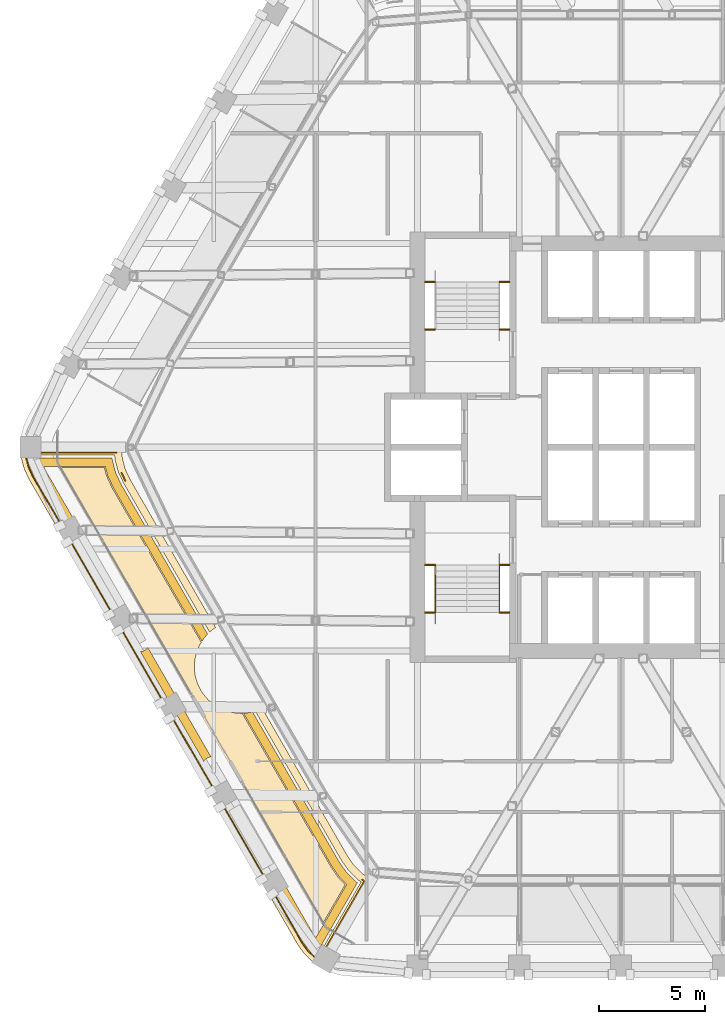
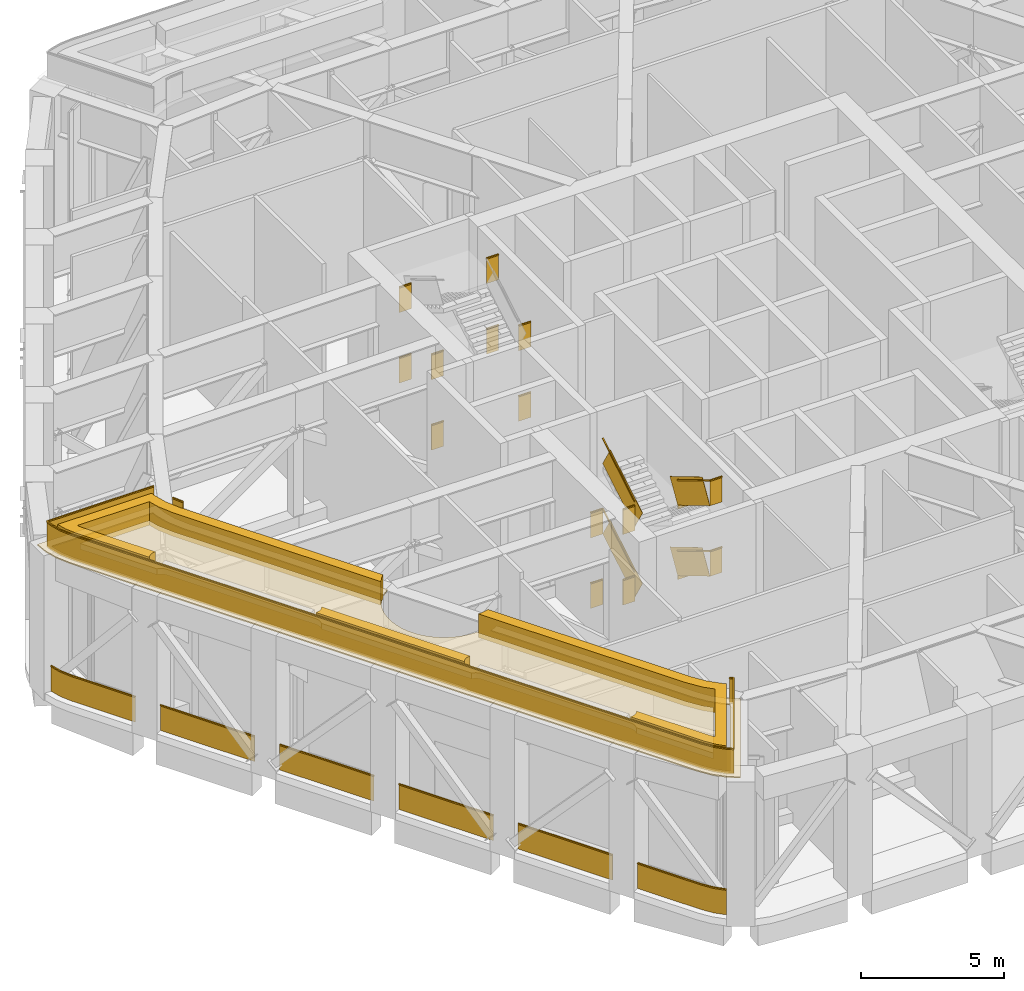
# One storey, part 22 of 24: 5 coverings, 5 railings.
"""IFC4 building model written with IfcOpenShell, lengths in metres."""

from ifc_helpers import new_model, si_unit, direction, frame, frame_2d, origin, origin_2d, place, context, subcontext, project, spatial, polyline, rectangle, outline, extrude, material, layer, layer_set, type_object, element, save


model = new_model("IFC4")

# Units and contexts
model_context = context("Model", 3, precision=1e-05, world=origin(), true_north=direction((0.0, 1.0)))
body_context = subcontext(model_context, "Body", "Model", "MODEL_VIEW")
ifc_project = project(units=[si_unit("LENGTHUNIT", "METRE"), si_unit("AREAUNIT", "SQUARE_METRE"), si_unit("VOLUMEUNIT", "CUBIC_METRE"), si_unit("PLANEANGLEUNIT", "RADIAN"), si_unit("MASSUNIT", "GRAM", prefix="KILO")], contexts=[model_context])

# Site, building, storey
site_placement = place(None, origin())
site = spatial("IfcSite", under=ifc_project, at=site_placement, CompositionType="ELEMENT")
building_placement = place(site_placement, origin())
building = spatial("IfcBuilding", under=site, at=building_placement, Name="Kolab Exchange Tower", CompositionType="ELEMENT")
storey_placement = place(building_placement, frame((0.0, 0.0, 216.800048828125)))
storey = spatial("IfcBuildingStorey", under=building, at=storey_placement, Name="L47", CompositionType="ELEMENT", Elevation=216.800048828125)

# Railings
ifc_material_1 = material(Name="Stainless steel 316", Category="steel")
railing_type_1 = type_object("IfcRailingType", Name="GUARD 1100", PredefinedType="GUARDRAIL", material=ifc_material_1)
railing_1_placement = place(storey_placement, frame((-9.25, 5.550048828125, 0.0)))
element("IfcRailing", 1, at=railing_1_placement, inside=storey, type_object=railing_type_1, Name="Guard ST1", PredefinedType="GUARDRAIL", context=body_context, shape_type="SweptSolid", body=[
    extrude(rectangle(XDim=0.05, YDim=0.05, at=origin_2d()), frame((0.0, 0.0, 1.0751953125), z_axis=(1.0, 0.0, 0.0), x_axis=(0.0, 1.0, 0.0)), (0.0, 0.0, 1.0), 0.489990234375),
    extrude(rectangle(XDim=0.012, YDim=1.05009765625, at=frame_2d((0.0, 0.525146484375))), frame((0.0, 0.0, 0.0), z_axis=(1.0, 0.0, 0.0), x_axis=(0.0, 1.0, 0.0)), (0.0, 0.0, 1.0), 0.489990234375),
    extrude(rectangle(XDim=0.05, YDim=0.05, at=origin_2d()), frame((3.510009765625, 0.0, 1.0751953125), z_axis=(1.0, 0.0, 0.0), x_axis=(0.0, 1.0, 0.0)), (0.0, 0.0, 1.0), 0.489990234375),
    extrude(rectangle(XDim=0.012, YDim=1.05009765625, at=frame_2d((0.0, 0.525146484375))), frame((3.510009765625, 0.0, 0.0), z_axis=(1.0, 0.0, 0.0), x_axis=(0.0, 1.0, 0.0)), (0.0, 0.0, 1.0), 0.489990234375),
    extrude(rectangle(XDim=0.05, YDim=0.05, at=origin_2d()), frame((0.0, 2.239990234375, 2.5751953125), z_axis=(1.0, 0.0, 0.0), x_axis=(0.0, 1.0, 0.0)), (0.0, 0.0, 1.0), 0.489990234375),
    extrude(rectangle(XDim=0.012, YDim=1.05009765625, at=frame_2d((0.0, 0.525146484375))), frame((0.0, 2.239990234375, 1.5), z_axis=(1.0, 0.0, 0.0), x_axis=(0.0, 1.0, 0.0)), (0.0, 0.0, 1.0), 0.489990234375),
    extrude(rectangle(XDim=0.05, YDim=0.05, at=origin_2d()), frame((3.510009765625, 2.239990234375, 2.5751953125), z_axis=(1.0, 0.0, 0.0), x_axis=(0.0, 1.0, 0.0)), (0.0, 0.0, 1.0), 0.489990234375),
    extrude(rectangle(XDim=0.012, YDim=1.05009765625, at=frame_2d((0.0, 0.525146484375))), frame((3.510009765625, 2.239990234375, 1.5), z_axis=(1.0, 0.0, 0.0), x_axis=(0.0, 1.0, 0.0)), (0.0, 0.0, 1.0), 0.489990234375),
    extrude(rectangle(XDim=0.05, YDim=0.05, at=origin_2d()), frame((0.0, 0.0, 4.0751953125), z_axis=(1.0, 0.0, 0.0), x_axis=(0.0, 1.0, 0.0)), (0.0, 0.0, 1.0), 0.489990234375),
    extrude(rectangle(XDim=0.012, YDim=1.05009765625, at=frame_2d((0.0, 0.525146484375))), frame((0.0, 0.0, 3.0), z_axis=(1.0, 0.0, 0.0), x_axis=(0.0, 1.0, 0.0)), (0.0, 0.0, 1.0), 0.489990234375),
    extrude(rectangle(XDim=0.05, YDim=0.05, at=origin_2d()), frame((3.510009765625, 0.0, 4.0751953125), z_axis=(1.0, 0.0, 0.0), x_axis=(0.0, 1.0, 0.0)), (0.0, 0.0, 1.0), 0.489990234375),
    extrude(rectangle(XDim=0.012, YDim=1.05009765625, at=frame_2d((0.0, 0.525146484375))), frame((3.510009765625, 0.0, 3.0), z_axis=(1.0, 0.0, 0.0), x_axis=(0.0, 1.0, 0.0)), (0.0, 0.0, 1.0), 0.489990234375),
    extrude(rectangle(XDim=0.05, YDim=0.05, at=origin_2d()), frame((0.0, 2.239990234375, 5.5751953125), z_axis=(1.0, 0.0, 0.0), x_axis=(0.0, 1.0, 0.0)), (0.0, 0.0, 1.0), 0.489990234375),
    extrude(rectangle(XDim=0.012, YDim=1.05009765625, at=frame_2d((0.0, 0.525146484375))), frame((0.0, 2.239990234375, 4.5), z_axis=(1.0, 0.0, 0.0), x_axis=(0.0, 1.0, 0.0)), (0.0, 0.0, 1.0), 0.489990234375),
    extrude(rectangle(XDim=0.05, YDim=0.05, at=origin_2d()), frame((3.510009765625, 2.239990234375, 5.5751953125), z_axis=(1.0, 0.0, 0.0), x_axis=(0.0, 1.0, 0.0)), (0.0, 0.0, 1.0), 0.489990234375),
    extrude(rectangle(XDim=0.012, YDim=1.05009765625, at=frame_2d((0.0, 0.525146484375))), frame((3.510009765625, 2.239990234375, 4.5), z_axis=(1.0, 0.0, 0.0), x_axis=(0.0, 1.0, 0.0)), (0.0, 0.0, 1.0), 0.489990234375),
])
railing_2_placement = place(storey_placement, frame((-9.25, -5.550048828125, 0.0)))
element("IfcRailing", 2, at=railing_2_placement, inside=storey, type_object=railing_type_1, Name="Guard ST3", PredefinedType="GUARDRAIL", context=body_context, shape_type="SweptSolid", body=[
    extrude(rectangle(XDim=0.05, YDim=0.05, at=origin_2d()), frame((0.0, 0.0, 1.0751953125), z_axis=(1.0, 0.0, 0.0), x_axis=(0.0, 1.0, 0.0)), (0.0, 0.0, 1.0), 0.489990234375),
    extrude(rectangle(XDim=0.012, YDim=1.05009765625, at=frame_2d((0.0, 0.525146484375))), frame((0.0, 0.0, 0.0), z_axis=(1.0, 0.0, 0.0), x_axis=(0.0, 1.0, 0.0)), (0.0, 0.0, 1.0), 0.489990234375),
    extrude(rectangle(XDim=0.05, YDim=0.05, at=origin_2d()), frame((3.510009765625, 0.0, 1.0751953125), z_axis=(1.0, 0.0, 0.0), x_axis=(0.0, 1.0, 0.0)), (0.0, 0.0, 1.0), 0.489990234375),
    extrude(rectangle(XDim=0.012, YDim=1.05009765625, at=frame_2d((0.0, 0.525146484375))), frame((3.510009765625, 0.0, 0.0), z_axis=(1.0, 0.0, 0.0), x_axis=(0.0, 1.0, 0.0)), (0.0, 0.0, 1.0), 0.489990234375),
    extrude(rectangle(XDim=0.05, YDim=0.05, at=origin_2d()), frame((0.0, -2.239990234375, 2.5751953125), z_axis=(1.0, 0.0, 0.0), x_axis=(0.0, 1.0, 0.0)), (0.0, 0.0, 1.0), 0.489990234375),
    extrude(rectangle(XDim=0.012, YDim=1.05009765625, at=frame_2d((0.0, 0.525146484375))), frame((0.0, -2.239990234375, 1.5), z_axis=(1.0, 0.0, 0.0), x_axis=(0.0, 1.0, 0.0)), (0.0, 0.0, 1.0), 0.489990234375),
    extrude(rectangle(XDim=0.05, YDim=0.05, at=origin_2d()), frame((3.510009765625, -2.239990234375, 2.5751953125), z_axis=(1.0, 0.0, 0.0), x_axis=(0.0, 1.0, 0.0)), (0.0, 0.0, 1.0), 0.489990234375),
    extrude(rectangle(XDim=0.012, YDim=1.05009765625, at=frame_2d((0.0, 0.525146484375))), frame((3.510009765625, -2.239990234375, 1.5), z_axis=(1.0, 0.0, 0.0), x_axis=(0.0, 1.0, 0.0)), (0.0, 0.0, 1.0), 0.489990234375),
    extrude(rectangle(XDim=0.05, YDim=0.05, at=origin_2d()), frame((0.0, 0.0, 4.0751953125), z_axis=(1.0, 0.0, 0.0), x_axis=(0.0, 1.0, 0.0)), (0.0, 0.0, 1.0), 0.489990234375),
    extrude(rectangle(XDim=0.012, YDim=1.05009765625, at=frame_2d((0.0, 0.525146484375))), frame((0.0, 0.0, 3.0), z_axis=(1.0, 0.0, 0.0), x_axis=(0.0, 1.0, 0.0)), (0.0, 0.0, 1.0), 0.489990234375),
    extrude(rectangle(XDim=0.05, YDim=0.05, at=origin_2d()), frame((3.510009765625, 0.0, 4.0751953125), z_axis=(1.0, 0.0, 0.0), x_axis=(0.0, 1.0, 0.0)), (0.0, 0.0, 1.0), 0.489990234375),
    extrude(rectangle(XDim=0.012, YDim=1.05009765625, at=frame_2d((0.0, 0.525146484375))), frame((3.510009765625, 0.0, 3.0), z_axis=(1.0, 0.0, 0.0), x_axis=(0.0, 1.0, 0.0)), (0.0, 0.0, 1.0), 0.489990234375),
    extrude(rectangle(XDim=0.05, YDim=0.05, at=origin_2d()), frame((0.0, -2.239990234375, 5.5751953125), z_axis=(1.0, 0.0, 0.0), x_axis=(0.0, 1.0, 0.0)), (0.0, 0.0, 1.0), 0.489990234375),
    extrude(rectangle(XDim=0.012, YDim=1.05009765625, at=frame_2d((0.0, 0.525146484375))), frame((0.0, -2.239990234375, 4.5), z_axis=(1.0, 0.0, 0.0), x_axis=(0.0, 1.0, 0.0)), (0.0, 0.0, 1.0), 0.489990234375),
    extrude(rectangle(XDim=0.05, YDim=0.05, at=origin_2d()), frame((3.510009765625, -2.239990234375, 5.5751953125), z_axis=(1.0, 0.0, 0.0), x_axis=(0.0, 1.0, 0.0)), (0.0, 0.0, 1.0), 0.489990234375),
    extrude(rectangle(XDim=0.012, YDim=1.05009765625, at=frame_2d((0.0, 0.525146484375))), frame((3.510009765625, -2.239990234375, 4.5), z_axis=(1.0, 0.0, 0.0), x_axis=(0.0, 1.0, 0.0)), (0.0, 0.0, 1.0), 0.489990234375),
])
railing_3_placement = place(storey_placement, frame((-5.739990234375, -5.550048828125, 0.166748046875)))
element("IfcRailing", 3, at=railing_3_placement, inside=storey, type_object=railing_type_1, Name="Handrail guard ST3", PredefinedType="GUARDRAIL", context=body_context, shape_type="SweptSolid", body=[
    extrude(rectangle(XDim=0.05, YDim=0.05, at=origin_2d()), frame((0.0, 0.0, 1.0751953125), z_axis=(0.0, -0.859305625298, 0.511462454469), x_axis=(1.0, 0.0, 0.0)), (0.0, 0.0, 1.0), 2.606689453125),
    extrude(rectangle(XDim=0.012, YDim=1.05009765625, at=frame_2d((0.0, 0.525146484375))), frame((0.0, 0.0, 0.0), z_axis=(0.0, -0.859305625298, 0.511462454469), x_axis=(1.0, 0.0, 0.0)), (0.0, 0.0, 1.0), 2.606689453125),
    extrude(rectangle(XDim=0.05, YDim=0.05, at=origin_2d()), frame((-3.02001953125, -2.239990234375, 2.5751953125), z_axis=(0.0, 0.859305625298, 0.511462454469), x_axis=(-1.0, 0.0, 0.0)), (0.0, 0.0, 1.0), 2.606689453125),
    extrude(rectangle(XDim=0.012, YDim=1.05009765625, at=frame_2d((0.0, 0.525146484375))), frame((-3.02001953125, -2.239990234375, 1.5), z_axis=(0.0, 0.859305625298, 0.511462454469), x_axis=(-1.0, 0.0, 0.0)), (0.0, 0.0, 1.0), 2.606689453125),
    extrude(rectangle(XDim=0.05, YDim=0.05, at=origin_2d()), frame((0.0, 0.0, 4.0751953125), z_axis=(0.0, -0.859305625298, 0.511462454469), x_axis=(1.0, 0.0, 0.0)), (0.0, 0.0, 1.0), 2.606689453125),
    extrude(rectangle(XDim=0.012, YDim=1.05009765625, at=frame_2d((0.0, 0.525146484375))), frame((0.0, 0.0, 3.0), z_axis=(0.0, -0.859305625298, 0.511462454469), x_axis=(1.0, 0.0, 0.0)), (0.0, 0.0, 1.0), 2.606689453125),
    extrude(rectangle(XDim=0.05, YDim=0.05, at=origin_2d()), frame((-3.02001953125, -2.239990234375, 5.5751953125), z_axis=(0.0, 0.859305625298, 0.511462454469), x_axis=(-1.0, 0.0, 0.0)), (0.0, 0.0, 1.0), 2.606689453125),
    extrude(rectangle(XDim=0.012, YDim=1.05009765625, at=frame_2d((0.0, 0.525146484375))), frame((-3.02001953125, -2.239990234375, 4.5), z_axis=(0.0, 0.859305625298, 0.511462454469), x_axis=(-1.0, 0.0, 0.0)), (0.0, 0.0, 1.0), 2.606689453125),
])
ifc_material_2 = material(Name="Steel S235", Category="steel")
railing_type_2 = type_object("IfcRailingType", Name="GUARD 1100 GLASS BALUSTRADE AND STEEL TOP RAIL", PredefinedType="GUARDRAIL", material=ifc_material_2)
railing_4_placement = place(storey_placement, frame((-28.038818359375, -0.49755859375, 0.0)))
element("IfcRailing", 4, at=railing_4_placement, inside=storey, type_object=railing_type_2, Name="Guard", PredefinedType="GUARDRAIL", context=body_context, shape_type="SweptSolid", body=[
    extrude(rectangle(XDim=0.05, YDim=0.05, at=origin_2d()), frame((0.0, 0.0, 1.0751953125), z_axis=(0.25865627591, -0.965969425465, 0.0), x_axis=(0.965969425465, 0.25865627591, 0.0)), (0.0, 0.0, 1.0), 0.458740234375),
    extrude(rectangle(XDim=0.012, YDim=1.05009765625, at=frame_2d((0.0, 0.525146484375))), frame((0.0, 0.0, 0.0), z_axis=(0.25865627591, -0.965969425465, 0.0), x_axis=(0.965969425465, 0.25865627591, 0.0)), (0.0, 0.0, 1.0), 0.458740234375),
    extrude(rectangle(XDim=0.05, YDim=0.05, at=origin_2d()), frame((0.11865234375, -0.443115234375, 1.0751953125), z_axis=(0.422801802984, -0.906222177721, 0.0), x_axis=(0.906222177721, 0.422801802984, 0.0)), (0.0, 0.0, 1.0), 0.479248046875),
    extrude(rectangle(XDim=0.012, YDim=1.05009765625, at=frame_2d((0.0, 0.525146484375))), frame((0.11865234375, -0.443115234375, 0.0), z_axis=(0.422801802984, -0.906222177721, 0.0), x_axis=(0.906222177721, 0.422801802984, 0.0)), (0.0, 0.0, 1.0), 0.479248046875),
    extrude(rectangle(XDim=0.05, YDim=0.05, at=origin_2d()), frame((0.3212890625, -0.87744140625, 1.0751953125), z_axis=(0.499994038704, -0.866028845513, 0.0), x_axis=(0.866028845513, 0.499994038704, 0.0)), (0.0, 0.0, 1.0), 2.56787109375),
    extrude(rectangle(XDim=0.012, YDim=1.05009765625, at=frame_2d((0.0, 0.525146484375))), frame((0.3212890625, -0.87744140625, 0.0), z_axis=(0.499994038704, -0.866028845513, 0.0), x_axis=(0.866028845513, 0.499994038704, 0.0)), (0.0, 0.0, 1.0), 2.56787109375),
    extrude(rectangle(XDim=0.05, YDim=0.05, at=origin_2d()), frame((2.105224609375, -3.96728515625, 1.0751953125), z_axis=(0.500015340139, -0.86601654697, 0.0), x_axis=(0.86601654697, 0.500015340139, 0.0)), (0.0, 0.0, 1.0), 3.80029296875),
    extrude(rectangle(XDim=0.012, YDim=1.05009765625, at=frame_2d((0.0, 0.525146484375))), frame((2.105224609375, -3.96728515625, 0.0), z_axis=(0.500015340139, -0.86601654697, 0.0), x_axis=(0.86601654697, 0.500015340139, 0.0)), (0.0, 0.0, 1.0), 3.80029296875),
    extrude(rectangle(XDim=0.05, YDim=0.05, at=origin_2d()), frame((4.50537109375, -8.124267578125, 1.0751953125), z_axis=(0.499967155389, -0.866044365799, 0.0), x_axis=(0.866044365799, 0.499967155389, 0.0)), (0.0, 0.0, 1.0), 3.800048828125),
    extrude(rectangle(XDim=0.012, YDim=1.05009765625, at=frame_2d((0.0, 0.525146484375))), frame((4.50537109375, -8.124267578125, 0.0), z_axis=(0.499967155389, -0.866044365799, 0.0), x_axis=(0.866044365799, 0.499967155389, 0.0)), (0.0, 0.0, 1.0), 3.800048828125),
    extrude(rectangle(XDim=0.05, YDim=0.05, at=origin_2d()), frame((6.9052734375, -12.28125, 1.0751953125), z_axis=(0.500043160704, -0.866000483506, 0.0), x_axis=(0.866000483506, 0.500043160704, 0.0)), (0.0, 0.0, 1.0), 3.800048828125),
    extrude(rectangle(XDim=0.012, YDim=1.05009765625, at=frame_2d((0.0, 0.525146484375))), frame((6.9052734375, -12.28125, 0.0), z_axis=(0.500043160704, -0.866000483506, 0.0), x_axis=(0.866000483506, 0.500043160704, 0.0)), (0.0, 0.0, 1.0), 3.800048828125),
    extrude(rectangle(XDim=0.05, YDim=0.05, at=origin_2d()), frame((9.305419921875, -16.438232421875, 1.0751953125), z_axis=(0.499994975061, -0.866028304915, 0.0), x_axis=(0.866028304915, 0.499994975061, 0.0)), (0.0, 0.0, 1.0), 3.7998046875),
    extrude(rectangle(XDim=0.012, YDim=1.05009765625, at=frame_2d((0.0, 0.525146484375))), frame((9.305419921875, -16.438232421875, 0.0), z_axis=(0.499994975061, -0.866028304915, 0.0), x_axis=(0.866028304915, 0.499994975061, 0.0)), (0.0, 0.0, 1.0), 3.7998046875),
    extrude(rectangle(XDim=0.05, YDim=0.05, at=origin_2d()), frame((11.705322265625, -20.594970703125, 1.0751953125), z_axis=(0.499952873616, -0.866052610505, 0.0), x_axis=(0.866052610505, 0.499952873616, 0.0)), (0.0, 0.0, 1.0), 2.568115234375),
    extrude(rectangle(XDim=0.012, YDim=1.05009765625, at=frame_2d((0.0, 0.525146484375))), frame((11.705322265625, -20.594970703125, 0.0), z_axis=(0.499952873616, -0.866052610505, 0.0), x_axis=(0.866052610505, 0.499952873616, 0.0)), (0.0, 0.0, 1.0), 2.568115234375),
    extrude(rectangle(XDim=0.05, YDim=0.05, at=origin_2d()), frame((12.9892578125, -22.819091796875, 1.0751953125), z_axis=(0.573599091554, -0.819136180478, 0.0), x_axis=(0.819136180478, 0.573599091554, 0.0)), (0.0, 0.0, 1.0), 0.479248046875),
    extrude(rectangle(XDim=0.012, YDim=1.05009765625, at=frame_2d((0.0, 0.525146484375))), frame((12.9892578125, -22.819091796875, 0.0), z_axis=(0.573599091554, -0.819136180478, 0.0), x_axis=(0.819136180478, 0.573599091554, 0.0)), (0.0, 0.0, 1.0), 0.479248046875),
    extrude(rectangle(XDim=0.05, YDim=0.05, at=origin_2d()), frame((13.26416015625, -23.211669921875, 1.0751953125), z_axis=(0.70737286085, -0.706840601361, 0.0), x_axis=(0.706840601361, 0.70737286085, 0.0)), (0.0, 0.0, 1.0), 0.458740234375),
    extrude(rectangle(XDim=0.012, YDim=1.05009765625, at=frame_2d((0.0, 0.525146484375))), frame((13.26416015625, -23.211669921875, 0.0), z_axis=(0.70737286085, -0.706840601361, 0.0), x_axis=(0.706840601361, 0.70737286085, 0.0)), (0.0, 0.0, 1.0), 0.458740234375),
])
railing_5_placement = place(storey_placement, frame((-14.248046875, -24.17822265625, 6.0)))
element("IfcRailing", 5, at=railing_5_placement, inside=storey, type_object=railing_type_2, Name="Ledge guard", PredefinedType="GUARDRAIL", context=body_context, shape_type="SweptSolid", body=[
    extrude(rectangle(XDim=0.05, YDim=0.05, at=origin_2d()), frame((-9.3056640625, 22.986572265625, 1.0751953125), z_axis=(0.422680680611, -0.906278678023, 0.0), x_axis=(0.906278678023, 0.422680680611, 0.0)), (0.0, 0.0, 1.0), 0.456787109375),
    extrude(rectangle(XDim=0.012, YDim=1.05009765625, at=frame_2d((0.0, 0.525146484375))), frame((-9.3056640625, 22.986572265625, 0.0), z_axis=(0.422680680611, -0.906278678023, 0.0), x_axis=(0.906278678023, 0.422680680611, 0.0)), (0.0, 0.0, 1.0), 0.456787109375),
    extrude(rectangle(XDim=0.05, YDim=0.05, at=origin_2d()), frame((2.0234375, 3.81005859375, 1.0751953125), z_axis=(0.819605581013, -0.572928173135, 0.0), x_axis=(0.572928173135, 0.819605581013, 0.0)), (0.0, 0.0, 1.0), 0.1533203125),
    extrude(rectangle(XDim=0.012, YDim=1.05009765625, at=frame_2d((0.0, 0.525146484375))), frame((2.0234375, 3.81005859375, 0.0), z_axis=(0.819605581013, -0.572928173135, 0.0), x_axis=(0.572928173135, 0.819605581013, 0.0)), (0.0, 0.0, 1.0), 0.1533203125),
    extrude(rectangle(XDim=0.05, YDim=0.05, at=origin_2d()), frame((2.149169921875, 3.72216796875, 1.0751953125), z_axis=(-0.500030579029, -0.866007748254, 0.0), x_axis=(0.866007748254, -0.500030579029, 0.0)), (0.0, 0.0, 1.0), 4.298095703125),
    extrude(rectangle(XDim=0.012, YDim=1.05009765625, at=frame_2d((0.0, 0.525146484375))), frame((2.149169921875, 3.72216796875, 0.0), z_axis=(-0.500030579029, -0.866007748254, 0.0), x_axis=(0.866007748254, -0.500030579029, 0.0)), (0.0, 0.0, 1.0), 4.298095703125),
    extrude(rectangle(XDim=0.05, YDim=0.05, at=origin_2d()), frame((0.0, 0.0, 1.0751953125), z_axis=(-0.819332409574, 0.573318761791, 0.0), x_axis=(-0.573318761791, -0.819332409574, 0.0)), (0.0, 0.0, 1.0), 0.228271484375),
    extrude(rectangle(XDim=0.012, YDim=1.05009765625, at=frame_2d((0.0, 0.525146484375))), frame((0.0, 0.0, 0.0), z_axis=(-0.819332409574, 0.573318761791, 0.0), x_axis=(-0.573318761791, -0.819332409574, 0.0)), (0.0, 0.0, 1.0), 0.228271484375),
    extrude(rectangle(XDim=0.05, YDim=0.05, at=origin_2d()), frame((-0.18701171875, 0.130859375, 1.0751953125), z_axis=(-0.707106781187, 0.707106781187, 0.0), x_axis=(-0.707106781187, -0.707106781187, 0.0)), (0.0, 0.0, 1.0), 0.479248046875),
    extrude(rectangle(XDim=0.012, YDim=1.05009765625, at=frame_2d((0.0, 0.525146484375))), frame((-0.18701171875, 0.130859375, 0.0), z_axis=(-0.707106781187, 0.707106781187, 0.0), x_axis=(-0.707106781187, -0.707106781187, 0.0)), (0.0, 0.0, 1.0), 0.479248046875),
    extrude(rectangle(XDim=0.05, YDim=0.05, at=origin_2d()), frame((-0.52587890625, 0.4697265625, 1.0751953125), z_axis=(-0.573529226717, 0.819185098803, 0.0), x_axis=(-0.819185098803, -0.573529226717, 0.0)), (0.0, 0.0, 1.0), 0.489990234375),
    extrude(rectangle(XDim=0.012, YDim=1.05009765625, at=frame_2d((0.0, 0.525146484375))), frame((-0.52587890625, 0.4697265625, 0.0), z_axis=(-0.573529226717, 0.819185098803, 0.0), x_axis=(-0.819185098803, -0.573529226717, 0.0)), (0.0, 0.0, 1.0), 0.489990234375),
    extrude(rectangle(XDim=0.05, YDim=0.05, at=origin_2d()), frame((-0.806884765625, 0.87109375, 1.0751953125), z_axis=(-0.499998788977, 0.866026102968, 0.0), x_axis=(-0.866026102968, -0.499998788977, 0.0)), (0.0, 0.0, 1.0), 25.31396484375),
    extrude(rectangle(XDim=0.012, YDim=1.05009765625, at=frame_2d((0.0, 0.525146484375))), frame((-0.806884765625, 0.87109375, 0.0), z_axis=(-0.499998788977, 0.866026102968, 0.0), x_axis=(-0.866026102968, -0.499998788977, 0.0)), (0.0, 0.0, 1.0), 25.31396484375),
    extrude(rectangle(XDim=0.05, YDim=0.05, at=origin_2d()), frame((-13.4638671875, 22.793701171875, 1.0751953125), z_axis=(-0.422749163714, 0.906246734934, 0.0), x_axis=(-0.906246734934, -0.422749163714, 0.0)), (0.0, 0.0, 1.0), 0.490234375),
    extrude(rectangle(XDim=0.012, YDim=1.05009765625, at=frame_2d((0.0, 0.525146484375))), frame((-13.4638671875, 22.793701171875, 0.0), z_axis=(-0.422749163714, 0.906246734934, 0.0), x_axis=(-0.906246734934, -0.422749163714, 0.0)), (0.0, 0.0, 1.0), 0.490234375),
    extrude(rectangle(XDim=0.05, YDim=0.05, at=origin_2d()), frame((-13.671142578125, 23.238037109375, 1.0751953125), z_axis=(-0.258803991931, 0.965929859648, 0.0), x_axis=(-0.965929859648, -0.258803991931, 0.0)), (0.0, 0.0, 1.0), 0.479248046875),
    extrude(rectangle(XDim=0.012, YDim=1.05009765625, at=frame_2d((0.0, 0.525146484375))), frame((-13.671142578125, 23.238037109375, 0.0), z_axis=(-0.258803991931, 0.965929859648, 0.0), x_axis=(-0.965929859648, -0.258803991931, 0.0)), (0.0, 0.0, 1.0), 0.479248046875),
    extrude(rectangle(XDim=0.05, YDim=0.05, at=origin_2d()), frame((-13.795166015625, 23.700927734375, 1.0751953125), z_axis=(-0.086675791965, 0.996236571848, 0.0), x_axis=(-0.996236571848, -0.086675791965, 0.0)), (0.0, 0.0, 1.0), 0.228271484375),
    extrude(rectangle(XDim=0.012, YDim=1.05009765625, at=frame_2d((0.0, 0.525146484375))), frame((-13.795166015625, 23.700927734375, 0.0), z_axis=(-0.086675791965, 0.996236571848, 0.0), x_axis=(-0.996236571848, -0.086675791965, 0.0)), (0.0, 0.0, 1.0), 0.228271484375),
    extrude(rectangle(XDim=0.05, YDim=0.05, at=origin_2d()), frame((-13.81494140625, 23.92822265625, 1.0751953125), z_axis=(1.0, 0.0, 0.0), x_axis=(0.0, 1.0, 0.0)), (0.0, 0.0, 1.0), 4.298095703125),
    extrude(rectangle(XDim=0.012, YDim=1.05009765625, at=frame_2d((0.0, 0.525146484375))), frame((-13.81494140625, 23.92822265625, 0.0), z_axis=(1.0, 0.0, 0.0), x_axis=(0.0, 1.0, 0.0)), (0.0, 0.0, 1.0), 4.298095703125),
])

# Coverings
ifc_material_3 = material(Name="Planting soil and turf", Category="soil")
ifc_layer_1 = layer(ifc_material_3, 0.25)
ifc_layer_set_1 = layer_set([ifc_layer_1], Name="Planting soil and turf")
covering_type_1 = type_object("IfcCoveringType", Name="PLANTING SOIL AND TURF 250", PredefinedType="USERDEFINED", material=ifc_layer_set_1)
covering_1_placement = place(storey_placement, frame((0.0, 0.0, 6.0)))
element("IfcCovering", 6, at=covering_1_placement, inside=storey, type_object=covering_type_1, Name="Planting soil and turf", ObjectType="PLANTING", PredefinedType="USERDEFINED", context=body_context, shape_type="SweptSolid", body=[
    extrude(outline(polyline([(-24.35888671875, -0.949951171875), (-24.2509765625, -1.352294921875), (-23.9775390625, -1.93896484375), (-19.787841796875, -9.195556640625), (-19.853515625, -9.30517578125), (-19.946044921875, -9.50048828125), (-20.0185546875, -9.70361328125), (-20.071044921875, -9.9130859375), (-20.102783203125, -10.126708984375), (-20.11328125, -10.34228515625), (-20.102783203125, -10.557861328125), (-20.071044921875, -10.771484375), (-20.0185546875, -10.98095703125), (-19.946044921875, -11.184326171875), (-19.853515625, -11.37939453125), (-19.74267578125, -11.564453125), (-19.614013671875, -11.738037109375), (-19.468994140625, -11.89794921875), (-19.30908203125, -12.04296875), (-19.1357421875, -12.171630859375), (-18.950439453125, -12.282470703125), (-18.75537109375, -12.374755859375), (-18.552001953125, -12.447509765625), (-18.342529296875, -12.5), (-18.129150390625, -12.53173828125), (-17.913330078125, -12.542236328125), (-17.857177734375, -12.53955078125), (-13.66796875, -19.79541015625), (-13.296630859375, -20.325927734375), (-13.002197265625, -20.620361328125), (-14.393798828125, -23.03076171875), (-14.464111328125, -22.9306640625), (-15.954345703125, -20.349365234375), (-15.952392578125, -20.34521484375), (-15.9404296875, -20.307861328125), (-15.93212890625, -20.269287109375), (-15.927734375, -20.23046875), (-15.927001953125, -20.191162109375), (-15.93017578125, -20.152099609375), (-15.937255859375, -20.11328125), (-15.947998046875, -20.07568359375), (-15.96240234375, -20.0390625), (-15.98046875, -20.004150390625), (-18.98046875, -14.80810546875), (-19.001708984375, -14.775146484375), (-19.026123046875, -14.744384765625), (-19.053466796875, -14.716064453125), (-19.083251953125, -14.690673828125), (-19.115478515625, -14.66845703125), (-19.14990234375, -14.6494140625), (-19.185791015625, -14.6337890625), (-19.223388671875, -14.62158203125), (-19.26171875, -14.613525390625), (-19.266357421875, -14.61279296875), (-22.288330078125, -9.378662109375), (-22.286376953125, -9.374267578125), (-22.2744140625, -9.3369140625), (-22.26611328125, -9.298583984375), (-22.26171875, -9.259521484375), (-22.260986328125, -9.220458984375), (-22.26416015625, -9.18115234375), (-22.271240234375, -9.142578125), (-22.281982421875, -9.10498046875), (-22.29638671875, -9.068359375), (-22.314453125, -9.033447265625), (-25.314453125, -3.83740234375), (-25.335693359375, -3.80419921875), (-25.360107421875, -3.773681640625), (-25.387451171875, -3.745361328125), (-25.417236328125, -3.719970703125), (-25.449462890625, -3.697509765625), (-25.48388671875, -3.678466796875), (-25.519775390625, -3.662841796875), (-25.55712890625, -3.65087890625), (-25.595703125, -3.642578125), (-25.600341796875, -3.64208984375), (-27.090576171875, -1.06103515625), (-27.142333984375, -0.949951171875), (-24.35888671875, -0.949951171875)])), origin(), (0.0, 0.0, 1.0), 0.25),
])
ifc_material_4 = material(Name="Limestone coping", Category="masonry")
ifc_layer_2 = layer(ifc_material_4, 0.050048828125)
ifc_layer_set_2 = layer_set([ifc_layer_2], Name="Limestone coping")
covering_type_2 = type_object("IfcCoveringType", Name="TERRACE EDGE BAND LIMESTONE 50", PredefinedType="CLADDING", material=ifc_layer_set_2)
covering_2_placement = place(storey_placement, frame((0.0, 0.0, 6.0)))
element("IfcCovering", 7, at=covering_2_placement, inside=storey, type_object=covering_type_2, Name="Terrace edge band", PredefinedType="CLADDING", context=body_context, shape_type="SweptSolid", body=[
    extrude(outline(polyline([(-14.95068359375, -23.85693359375), (-15.2490234375, -23.4306640625), (-27.916259765625, -1.49072265625), (-28.13623046875, -1.019287109375), (-28.2705078125, -0.517578125), (-28.31396484375, -0.02001953125), (-23.55419921875, -0.02001953125), (-23.510009765625, -0.5244140625), (-23.373779296875, -1.032958984375), (-23.151611328125, -1.50927734375), (-19.115234375, -8.500732421875), (-19.1357421875, -8.51318359375), (-19.30908203125, -8.6416015625), (-19.393798828125, -8.71826171875), (-23.46240234375, -1.6708984375), (-23.7041015625, -1.153076171875), (-23.856201171875, -0.58544921875), (-23.875, -0.3701171875), (-27.93212890625, -0.3701171875), (-27.924560546875, -0.45654296875), (-27.805908203125, -0.89892578125), (-27.60546875, -1.3291015625), (-26.059326171875, -4.0068359375), (-26.059814453125, -4.01123046875), (-26.060546875, -4.05029296875), (-26.057373046875, -4.089599609375), (-26.05029296875, -4.128173828125), (-26.03955078125, -4.165771484375), (-26.025146484375, -4.202392578125), (-26.007080078125, -4.2373046875), (-23.007080078125, -9.433349609375), (-22.98583984375, -9.466552734375), (-22.96142578125, -9.497314453125), (-22.934326171875, -9.525390625), (-22.904296875, -9.55078125), (-22.8720703125, -9.5732421875), (-22.837646484375, -9.59228515625), (-22.833740234375, -9.593994140625), (-19.725341796875, -14.9775390625), (-19.725830078125, -14.98193359375), (-19.7265625, -15.021240234375), (-19.723388671875, -15.060302734375), (-19.71630859375, -15.098876953125), (-19.70556640625, -15.13671875), (-19.691162109375, -15.173095703125), (-19.673095703125, -15.2080078125), (-16.673095703125, -20.404296875), (-16.65185546875, -20.437255859375), (-16.62744140625, -20.468017578125), (-16.600341796875, -20.49609375), (-16.5703125, -20.521484375), (-16.5380859375, -20.5439453125), (-16.503662109375, -20.56298828125), (-16.499755859375, -20.564697265625), (-14.95361328125, -23.242431640625), (-14.681640625, -23.631103515625), (-14.357666015625, -23.955078125), (-14.286376953125, -24.0048828125), (-12.2578125, -20.4912109375), (-12.43505859375, -20.3671875), (-12.8505859375, -19.95166015625), (-13.178466796875, -19.483642578125), (-17.24658203125, -12.4375), (-17.071533203125, -12.374755859375), (-16.919921875, -12.30322265625), (-12.8828125, -19.29541015625), (-12.58154296875, -19.725830078125), (-12.209228515625, -20.09814453125), (-11.79443359375, -20.388671875), (-14.17431640625, -24.5107421875), (-14.58349609375, -24.224365234375), (-14.95068359375, -23.85693359375)])), origin(), (0.0, 0.0, 1.0), 0.050048828125),
])
ifc_material_5 = material(Name="Terrace hedge planting", Category="soil")
ifc_layer_3 = layer(ifc_material_5, 1.0)
ifc_layer_set_3 = layer_set([ifc_layer_3], Name="Terrace hedge planting")
covering_type_3 = type_object("IfcCoveringType", Name="TERRACE HEDGE 1000 X 400", PredefinedType="USERDEFINED", material=ifc_layer_set_3)
covering_3_placement = place(storey_placement, frame((0.0, 0.0, 6.0)))
element("IfcCovering", 8, at=covering_3_placement, inside=storey, type_object=covering_type_3, Name="Terrace hedge", ObjectType="PLANTING", PredefinedType="USERDEFINED", context=body_context, shape_type="SweptSolid", body=[
    extrude(outline(polyline([(-23.984619140625, -0.608154296875), (-23.82666015625, -1.19775390625), (-23.577880859375, -1.731201171875), (-19.49072265625, -8.810546875), (-19.614013671875, -8.946533203125), (-19.74267578125, -9.1201171875), (-19.758544921875, -9.146484375), (-23.93310546875, -1.916015625), (-24.203857421875, -1.3349609375), (-24.320556640625, -0.89990234375), (-27.220703125, -0.89990234375), (-27.135009765625, -1.083984375), (-25.660400390625, -3.6376953125), (-25.673828125, -3.637451171875), (-25.712890625, -3.640625), (-25.751708984375, -3.647705078125), (-25.789306640625, -3.658447265625), (-25.825927734375, -3.6728515625), (-25.86083984375, -3.69091796875), (-25.893798828125, -3.712158203125), (-25.924560546875, -3.736572265625), (-25.95263671875, -3.763916015625), (-25.97802734375, -3.793701171875), (-26.00048828125, -3.826171875), (-26.0068359375, -3.837646484375), (-27.489990234375, -1.268798828125), (-27.683349609375, -0.8544921875), (-27.7783203125, -0.5), (-23.994140625, -0.5), (-23.984619140625, -0.608154296875)])), origin(), (0.0, 0.0, 1.0), 1.0),
])
covering_4_placement = place(storey_placement, frame((0.0, 0.0, 6.0)))
element("IfcCovering", 9, at=covering_4_placement, inside=storey, type_object=covering_type_3, Name="Terrace hedge", ObjectType="PLANTING", PredefinedType="USERDEFINED", context=body_context, shape_type="SweptSolid", body=[
    extrude(outline(polyline([(-22.6611328125, -9.633056640625), (-22.647705078125, -9.63330078125), (-22.608642578125, -9.630126953125), (-22.56982421875, -9.623046875), (-22.5322265625, -9.6123046875), (-22.49560546875, -9.597900390625), (-22.460693359375, -9.579833984375), (-22.427734375, -9.55859375), (-22.39697265625, -9.5341796875), (-22.368896484375, -9.5068359375), (-22.343505859375, -9.47705078125), (-22.321044921875, -9.444580078125), (-22.314697265625, -9.43310546875), (-19.32666015625, -14.6083984375), (-19.33984375, -14.6083984375), (-19.37890625, -14.611572265625), (-19.417724609375, -14.618408203125), (-19.455322265625, -14.62939453125), (-19.491943359375, -14.643798828125), (-19.52685546875, -14.66162109375), (-19.559814453125, -14.682861328125), (-19.590576171875, -14.707275390625), (-19.61865234375, -14.734619140625), (-19.64404296875, -14.7646484375), (-19.66650390625, -14.796875), (-19.6728515625, -14.80859375), (-22.6611328125, -9.633056640625)])), origin(), (0.0, 0.0, 1.0), 1.0),
])
covering_5_placement = place(storey_placement, frame((0.0, 0.0, 6.0)))
element("IfcCovering", 10, at=covering_5_placement, inside=storey, type_object=covering_type_3, Name="Terrace hedge", ObjectType="PLANTING", PredefinedType="USERDEFINED", context=body_context, shape_type="SweptSolid", body=[
    extrude(outline(polyline([(-13.2880859375, -19.553466796875), (-12.95068359375, -20.03564453125), (-12.51904296875, -20.46728515625), (-12.429931640625, -20.529541015625), (-14.322265625, -23.806640625), (-14.58154296875, -23.54736328125), (-14.843994140625, -23.172607421875), (-16.3271484375, -20.603759765625), (-16.313720703125, -20.60400390625), (-16.274658203125, -20.600830078125), (-16.236083984375, -20.59375), (-16.1982421875, -20.5830078125), (-16.16162109375, -20.568603515625), (-16.126708984375, -20.550537109375), (-16.09375, -20.529296875), (-16.06298828125, -20.5048828125), (-16.034912109375, -20.477783203125), (-16.009521484375, -20.44775390625), (-15.987060546875, -20.41552734375), (-15.980712890625, -20.40380859375), (-14.50634765625, -22.95751953125), (-14.389892578125, -23.123779296875), (-12.939697265625, -20.612060546875), (-13.258056640625, -20.293701171875), (-13.625732421875, -19.7685546875), (-17.801025390625, -12.536865234375), (-17.69775390625, -12.53173828125), (-17.484130859375, -12.5), (-17.3759765625, -12.472900390625), (-13.2880859375, -19.553466796875)])), origin(), (0.0, 0.0, 1.0), 1.0),
])

save(model, "model.ifc")
